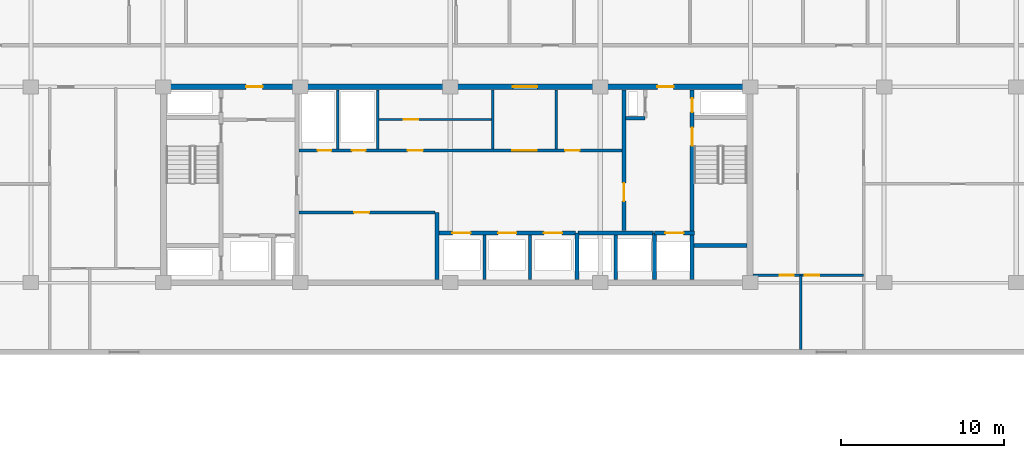
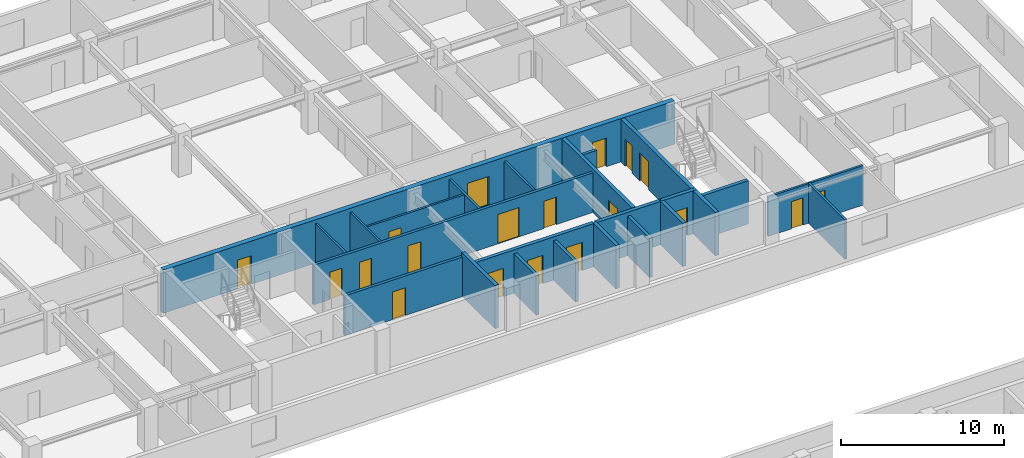
# One storey, part 11 of 21: 23 walls, 19 doors, 19 openings.
"""IFC4 building model written with IfcOpenShell, lengths in metres."""

from ifc_helpers import new_model, si_unit, direction, frame, frame_2d, origin, place, context, subcontext, project, spatial, rectangle, extrude, material, layer, layer_set, type_object, element, fill, save


model = new_model("IFC4")

# Units and contexts
model_context = context("Model", 3, precision=1e-05, world=origin(), true_north=direction((0.0, 1.0)))
body_context = subcontext(model_context, "Body", "Model", "MODEL_VIEW")
ifc_project = project(units=[si_unit("LENGTHUNIT", "METRE"), si_unit("AREAUNIT", "SQUARE_METRE"), si_unit("VOLUMEUNIT", "CUBIC_METRE"), si_unit("PLANEANGLEUNIT", "RADIAN"), si_unit("MASSUNIT", "GRAM", prefix="KILO")], contexts=[model_context])

# Site, building, storey
site_placement = place(None, origin())
site = spatial("IfcSite", under=ifc_project, at=site_placement, CompositionType="ELEMENT")
building_placement = place(site_placement, origin())
building = spatial("IfcBuilding", under=site, at=building_placement, Name="Korimba Cascade Residences", CompositionType="ELEMENT")
storey_placement = place(building_placement, frame((0.0, 0.0, 123.050048828125)))
storey = spatial("IfcBuildingStorey", under=building, at=storey_placement, Name="L35", CompositionType="ELEMENT", Elevation=123.050048828125)

# Wall, openings, doors
ifc_material_1 = material(Name="Concrete C65/80", Category="concrete")
ifc_layer_1 = layer(ifc_material_1, 0.35009765625)
ifc_layer_set_1 = layer_set([ifc_layer_1], Name="Concrete C65/80")
wall_type_1 = type_object("IfcWallType", Name="WAL-CORE-350", PredefinedType="SHEAR", material=ifc_layer_set_1)
wall_1_placement = place(storey_placement, frame((75.949951171875, 67.199951171875, 0.0), z_axis=(0.0, 0.0, 1.0), x_axis=(1.0, 0.0, 0.0)))
wall_1 = element("IfcWall", 1, at=wall_1_placement, inside=storey, type_object=wall_type_1, Name="L35 Core Shear Wall CW-L35-T1-N", PredefinedType="SHEAR", context=body_context, shape_type="SweptSolid", body=[
    extrude(rectangle(XDim=36.300048828125, YDim=0.35009765625, at=frame_2d((18.14990234375, 0.0))), origin(), (0.0, 0.0, 1.0), 3.25),
])
opening_1_placement = place(wall_1_placement, frame((5.25, 0.0, 0.0)))
opening_1 = element("IfcOpeningElement", 2, at=opening_1_placement, cuts=wall_1, Name="Opening D-FD5", PredefinedType="OPENING", context=body_context, shape_type="SweptSolid", body=[
    extrude(rectangle(XDim=1.0, YDim=2.14990234375, at=frame_2d((0.5, 1.074951171875))), frame((0.0, 0.18505859375, 0.0), z_axis=(0.0, -1.0, 0.0), x_axis=(1.0, 0.0, 0.0)), (0.0, 0.0, 1.0), 0.3701171875),
])
opening_2_placement = place(wall_1_placement, frame((21.60009765625, 0.0, 0.0)))
opening_2 = element("IfcOpeningElement", 3, at=opening_2_placement, cuts=wall_1, Name="Opening D-FD8", PredefinedType="OPENING", context=body_context, shape_type="SweptSolid", body=[
    extrude(rectangle(XDim=1.5, YDim=2.199951171875, at=frame_2d((0.75, 1.10009765625))), frame((0.0, 0.18505859375, 0.0), z_axis=(0.0, -1.0, 0.0), x_axis=(1.0, 0.0, 0.0)), (0.0, 0.0, 1.0), 0.3701171875),
])
opening_3_placement = place(wall_1_placement, frame((30.449951171875, 0.0, 0.0)))
opening_3 = element("IfcOpeningElement", 4, at=opening_3_placement, cuts=wall_1, Name="Opening D-FD5", PredefinedType="OPENING", context=body_context, shape_type="SweptSolid", body=[
    extrude(rectangle(XDim=1.0, YDim=2.14990234375, at=frame_2d((0.5, 1.074951171875))), frame((0.0, 0.18505859375, 0.0), z_axis=(0.0, -1.0, 0.0), x_axis=(1.0, 0.0, 0.0)), (0.0, 0.0, 1.0), 0.3701171875),
])
ifc_material_2 = material(Name="Fire-Rated Acoustic Timber Vestibule Door", Category="wood")
door_type_1 = type_object("IfcDoorType", Name="DR-FD90-1000", OperationType="NOTDEFINED", PredefinedType="DOOR", material=ifc_material_2)
door_1_placement = place(opening_1_placement, origin())
door_1 = element("IfcDoor", 5, at=door_1_placement, inside=storey, type_object=door_type_1, Name="L35 T1 West Core Vestibule Fire Door", OperationType="SINGLE_SWING_LEFT", OverallHeight=2.14990234375, OverallWidth=1.0, PredefinedType="DOOR", context=body_context, shape_type="SweptSolid", body=[
    extrude(rectangle(XDim=1.0, YDim=2.14990234375, at=frame_2d((0.5, 1.074951171875))), frame((0.0, 0.02490234375, 0.0), z_axis=(0.0, -1.0, 0.0), x_axis=(1.0, 0.0, 0.0)), (0.0, 0.0, 1.0), 0.050048828125),
])
fill(opening_1, door_1)
door_2_placement = place(opening_3_placement, origin())
door_2 = element("IfcDoor", 6, at=door_2_placement, inside=storey, type_object=door_type_1, Name="L35 T1 East Firefighting Vestibule Fire Door", OperationType="SINGLE_SWING_RIGHT", OverallHeight=2.14990234375, OverallWidth=1.0, PredefinedType="DOOR", context=body_context, shape_type="SweptSolid", body=[
    extrude(rectangle(XDim=1.0, YDim=2.14990234375, at=frame_2d((0.5, 1.074951171875))), frame((0.0, 0.02490234375, 0.0), z_axis=(0.0, -1.0, 0.0), x_axis=(1.0, 0.0, 0.0)), (0.0, 0.0, 1.0), 0.050048828125),
])
fill(opening_3, door_2)
ifc_material_3 = material(Name="Fire-Rated Glazed Lift Lobby Double Door", Category="glass")
door_type_2 = type_object("IfcDoorType", Name="DR-FD90-1500", OperationType="NOTDEFINED", PredefinedType="DOOR", material=ifc_material_3)
door_3_placement = place(opening_2_placement, origin())
door_3 = element("IfcDoor", 7, at=door_3_placement, inside=storey, type_object=door_type_2, Name="L35 T1 Lift Lobby Fire Door", OperationType="DOUBLE_DOOR_SINGLE_SWING", OverallHeight=2.199951171875, OverallWidth=1.5, PredefinedType="DOOR", context=body_context, shape_type="SweptSolid", body=[
    extrude(rectangle(XDim=1.5, YDim=2.199951171875, at=frame_2d((0.75, 1.10009765625))), frame((0.0, 0.02490234375, 0.0), z_axis=(0.0, -1.0, 0.0), x_axis=(1.0, 0.0, 0.0)), (0.0, 0.0, 1.0), 0.050048828125),
])
fill(opening_2, door_3)

# Walls
ifc_material_4 = material(Name="Insulated Acoustic Stud Partition", Category="gypsum")
ifc_layer_2 = layer(ifc_material_4, 0.14990234375)
ifc_layer_set_2 = layer_set([ifc_layer_2], Name="Insulated Acoustic Stud Partition")
wall_type_2 = type_object("IfcWallType", Name="WAL-PART-150", PredefinedType="PARTITIONING", material=ifc_layer_set_2)
for number, where, z_axis, x_axis, name in (
    (8, (86.800048828125, 63.39990234375, 0.0), (0.0, 0.0, 1.0), (0.0, 1.0, 0.0), "L35 Partition Wall CW-L35-T1-ERDIV"),
    (9, (89.25, 63.39990234375, 0.0), (0.0, 0.0, 1.0), (0.0, 1.0, 0.0), "L35 Partition Wall CW-L35-T1-PRDIV"),
):
    element("IfcWall", number, at=place(storey_placement, frame(where, z_axis=z_axis, x_axis=x_axis)), inside=storey, type_object=wall_type_2, Name=name, PredefinedType="PARTITIONING", context=body_context, shape_type="SweptSolid", body=[
        extrude(rectangle(XDim=3.60009765625, YDim=0.14990234375, at=frame_2d((1.800048828125, 0.0))), origin(), (0.0, 0.0, 1.0), 2.969970703125),
    ])

# Wall, opening, door
wall_2_placement = place(storey_placement, frame((89.25, 65.199951171875, 0.0), z_axis=(0.0, 0.0, 1.0), x_axis=(1.0, 0.0, 0.0)))
wall_2 = element("IfcWall", 10, at=wall_2_placement, inside=storey, type_object=wall_type_2, Name="L35 Partition Wall CW-L35-T1-CA2HZ", PredefinedType="PARTITIONING", context=body_context, shape_type="SweptSolid", body=[
    extrude(rectangle(XDim=7.050048828125, YDim=0.14990234375, at=frame_2d((3.52490234375, 0.0))), origin(), (0.0, 0.0, 1.0), 2.969970703125),
])
opening_4_placement = place(wall_2_placement, frame((1.60009765625, 0.0, 0.0)))
opening_4 = element("IfcOpeningElement", 11, at=opening_4_placement, cuts=wall_2, Name="Opening D-IN2", PredefinedType="OPENING", context=body_context, shape_type="SweptSolid", body=[
    extrude(rectangle(XDim=0.8798828125, YDim=2.06005859375, at=frame_2d((0.43994140625, 1.030029296875))), frame((0.0, 0.0849609375, 0.0), z_axis=(0.0, -1.0, 0.0), x_axis=(1.0, 0.0, 0.0)), (0.0, 0.0, 1.0), 0.169921875),
])
ifc_material_5 = material(Name="Acoustic Timber Bedroom Door", Category="wood")
door_type_3 = type_object("IfcDoorType", Name="DR-INT-880", OperationType="NOTDEFINED", PredefinedType="DOOR", material=ifc_material_5)
door_4_placement = place(opening_4_placement, origin())
door_4 = element("IfcDoor", 12, at=door_4_placement, inside=storey, type_object=door_type_3, Name="L35 Pram Store Door", OperationType="SINGLE_SWING_RIGHT", OverallHeight=2.06005859375, OverallWidth=0.8798828125, PredefinedType="DOOR", context=body_context, shape_type="SweptSolid", body=[
    extrude(rectangle(XDim=0.8798828125, YDim=2.06005859375, at=frame_2d((0.43994140625, 1.030029296875))), frame((0.0, 0.02490234375, 0.0), z_axis=(0.0, -1.0, 0.0), x_axis=(1.0, 0.0, 0.0)), (0.0, 0.0, 1.0), 0.050048828125),
])
fill(opening_4, door_4)

# Walls
for number, where, z_axis, x_axis, name in (
    (13, (96.300048828125, 63.39990234375, 0.0), (0.0, 0.0, 1.0), (0.0, 1.0, 0.0), "L35 Partition Wall CW-L35-T1-THW"),
    (14, (100.199951171875, 63.39990234375, 0.0), (0.0, 0.0, 1.0), (0.0, 1.0, 0.0), "L35 Partition Wall CW-L35-T1-THE"),
):
    element("IfcWall", number, at=place(storey_placement, frame(where, z_axis=z_axis, x_axis=x_axis)), inside=storey, type_object=wall_type_2, Name=name, PredefinedType="PARTITIONING", context=body_context, shape_type="SweptSolid", body=[
        extrude(rectangle(XDim=3.60009765625, YDim=0.14990234375, at=frame_2d((1.800048828125, 0.0))), origin(), (0.0, 0.0, 1.0), 2.969970703125),
    ])
wall_3_placement = place(storey_placement, frame((115.199951171875, 51.10009765625, 0.0), z_axis=(0.0, 0.0, 1.0), x_axis=(0.0, 1.0, 0.0)))
element("IfcWall", 15, at=wall_3_placement, inside=storey, type_object=wall_type_2, Name="L35 Partition Wall WAL-L35-T1-FE-VS", PredefinedType="PARTITIONING", context=body_context, shape_type="SweptSolid", body=[
    extrude(rectangle(XDim=4.5498046875, YDim=0.14990234375, at=frame_2d((2.27490234375, 0.0))), origin(), (0.0, 0.0, 1.0), 2.969970703125),
])

# Wall, openings, doors
wall_4_placement = place(storey_placement, frame((112.27001953125, 55.64990234375, 0.0), z_axis=(0.0, 0.0, 1.0), x_axis=(1.0, 0.0, 0.0)))
wall_4 = element("IfcWall", 16, at=wall_4_placement, inside=storey, type_object=wall_type_2, Name="L35 Partition Wall WAL-L35-T1-FE-H", PredefinedType="PARTITIONING", context=body_context, shape_type="SweptSolid", body=[
    extrude(rectangle(XDim=6.760009765625, YDim=0.14990234375, at=frame_2d((3.3798828125, 0.0))), origin(), (0.0, 0.0, 1.0), 2.969970703125),
])
opening_5_placement = place(wall_4_placement, frame((1.6396484375, 0.0, 0.0)))
opening_5 = element("IfcOpeningElement", 17, at=opening_5_placement, cuts=wall_4, Name="Opening D-BT1", PredefinedType="OPENING", context=body_context, shape_type="SweptSolid", body=[
    extrude(rectangle(XDim=0.840087890625, YDim=2.0400390625, at=frame_2d((0.419921875, 1.02001953125))), frame((0.0, 0.0849609375, 0.0), z_axis=(0.0, -1.0, 0.0), x_axis=(1.0, 0.0, 0.0)), (0.0, 0.0, 1.0), 0.169921875),
])
opening_6_placement = place(wall_4_placement, frame((3.160400390625, 0.0, 0.0)))
opening_6 = element("IfcOpeningElement", 18, at=opening_6_placement, cuts=wall_4, Name="Opening D-IN2", PredefinedType="OPENING", context=body_context, shape_type="SweptSolid", body=[
    extrude(rectangle(XDim=0.8798828125, YDim=2.06005859375, at=frame_2d((0.43994140625, 1.030029296875))), frame((0.0, 0.0849609375, 0.0), z_axis=(0.0, -1.0, 0.0), x_axis=(1.0, 0.0, 0.0)), (0.0, 0.0, 1.0), 0.169921875),
])
ifc_material_6 = material(Name="Moisture-Resistant Bathroom Timber Door", Category="wood")
door_type_4 = type_object("IfcDoorType", Name="DR-INT-850", OperationType="NOTDEFINED", PredefinedType="DOOR", material=ifc_material_6)
door_5_placement = place(opening_5_placement, origin())
door_5 = element("IfcDoor", 19, at=door_5_placement, inside=storey, type_object=door_type_4, Name="L35-T1-FE Bathroom Door", OperationType="SINGLE_SWING_RIGHT", OverallHeight=2.0400390625, OverallWidth=0.840087890625, PredefinedType="DOOR", context=body_context, shape_type="SweptSolid", body=[
    extrude(rectangle(XDim=0.840087890625, YDim=2.0400390625, at=frame_2d((0.419921875, 1.02001953125))), frame((0.0, 0.02490234375, 0.0), z_axis=(0.0, -1.0, 0.0), x_axis=(1.0, 0.0, 0.0)), (0.0, 0.0, 1.0), 0.050048828125),
])
fill(opening_5, door_5)
door_6_placement = place(opening_6_placement, origin())
door_6 = element("IfcDoor", 20, at=door_6_placement, inside=storey, type_object=door_type_3, Name="L35-T1-FE Bedroom Door", OperationType="SINGLE_SWING_LEFT", OverallHeight=2.06005859375, OverallWidth=0.8798828125, PredefinedType="DOOR", context=body_context, shape_type="SweptSolid", body=[
    extrude(rectangle(XDim=0.8798828125, YDim=2.06005859375, at=frame_2d((0.43994140625, 1.030029296875))), frame((0.0, 0.02490234375, 0.0), z_axis=(0.0, -1.0, 0.0), x_axis=(1.0, 0.0, 0.0)), (0.0, 0.0, 1.0), 0.050048828125),
])
fill(opening_6, door_6)

# Wall, opening, door
ifc_material_7 = material(Name="Concrete C40/50", Category="concrete")
ifc_layer_3 = layer(ifc_material_7, 0.199951171875)
ifc_layer_set_3 = layer_set([ifc_layer_3], Name="Concrete C40/50")
wall_type_3 = type_object("IfcWallType", Name="WAL-PART-200", PredefinedType="PARTITIONING", material=ifc_layer_set_3)
wall_5_placement = place(storey_placement, frame((84.419921875, 59.5, 0.0), z_axis=(0.0, 0.0, 1.0), x_axis=(1.0, 0.0, 0.0)))
wall_5 = element("IfcWall", 21, at=wall_5_placement, inside=storey, type_object=wall_type_3, Name="L35 Partition Wall CW-L35-T1-B1RN", PredefinedType="PARTITIONING", context=body_context, shape_type="SweptSolid", body=[
    extrude(rectangle(XDim=8.360107421875, YDim=0.199951171875, at=frame_2d((4.18017578125, 0.0))), origin(), (0.0, 0.0, 1.0), 2.969970703125),
])
opening_7_placement = place(wall_5_placement, frame((3.39990234375, 0.0, 0.0)))
opening_7 = element("IfcOpeningElement", 22, at=opening_7_placement, cuts=wall_5, Name="Opening D-ST1", PredefinedType="OPENING", context=body_context, shape_type="SweptSolid", body=[
    extrude(rectangle(XDim=0.919921875, YDim=2.080078125, at=frame_2d((0.4599609375, 1.0400390625))), frame((0.0, 0.10986328125, 0.0), z_axis=(0.0, -1.0, 0.0), x_axis=(1.0, 0.0, 0.0)), (0.0, 0.0, 1.0), 0.219970703125),
])
ifc_material_8 = material(Name="Fire-Rated Core Store Door", Category="wood")
door_type_5 = type_object("IfcDoorType", Name="DR-FD60-920", OperationType="NOTDEFINED", PredefinedType="DOOR", material=ifc_material_8)
door_7_placement = place(opening_7_placement, origin())
door_7 = element("IfcDoor", 23, at=door_7_placement, inside=storey, type_object=door_type_5, Name="L35 Resident Storage Door", OperationType="SINGLE_SWING_LEFT", OverallHeight=2.080078125, OverallWidth=0.919921875, PredefinedType="DOOR", context=body_context, shape_type="SweptSolid", body=[
    extrude(rectangle(XDim=0.919921875, YDim=2.080078125, at=frame_2d((0.4599609375, 1.0400390625))), frame((0.0, 0.02490234375, 0.0), z_axis=(0.0, -1.0, 0.0), x_axis=(1.0, 0.0, 0.0)), (0.0, 0.0, 1.0), 0.050048828125),
])
fill(opening_7, door_7)

# Walls
for number, where, z_axis, x_axis, name in (
    (24, (95.800048828125, 55.39990234375, 0.0), (0.0, 0.0, 1.0), (0.0, 1.0, 0.0), "L35 Partition Wall CW-L35-T1-B2D1"),
    (25, (98.60009765625, 55.39990234375, 0.0), (0.0, 0.0, 1.0), (0.0, 1.0, 0.0), "L35 Partition Wall CW-L35-T1-B2D2"),
    (26, (103.85009765625, 55.39990234375, 0.0), (0.0, 0.0, 1.0), (0.0, 1.0, 0.0), "L35 Partition Wall CW-L35-T1-B3D1"),
):
    element("IfcWall", number, at=place(storey_placement, frame(where, z_axis=z_axis, x_axis=x_axis)), inside=storey, type_object=wall_type_3, Name=name, PredefinedType="PARTITIONING", context=body_context, shape_type="SweptSolid", body=[
        extrude(rectangle(XDim=2.72021484375, YDim=0.199951171875, at=frame_2d((1.360107421875, 0.0))), origin(), (0.0, 0.0, 1.0), 2.969970703125),
    ])

# Wall, openings, doors
wall_6_placement = place(storey_placement, frame((84.419921875, 63.300048828125, 0.0), z_axis=(0.0, 0.0, 1.0), x_axis=(1.0, 0.0, 0.0)))
wall_6 = element("IfcWall", 27, at=wall_6_placement, inside=storey, type_object=wall_type_3, Name="L35 Partition Wall CW-L35-T1-SRVROW", PredefinedType="PARTITIONING", context=body_context, shape_type="SweptSolid", body=[
    extrude(rectangle(XDim=19.830078125, YDim=0.199951171875, at=frame_2d((9.9150390625, 0.0))), origin(), (0.0, 0.0, 1.0), 2.969970703125),
])
opening_8_placement = place(wall_6_placement, frame((1.14990234375, 0.0, 0.0)))
opening_8 = element("IfcOpeningElement", 28, at=opening_8_placement, cuts=wall_6, Name="Opening D-RS1", PredefinedType="OPENING", context=body_context, shape_type="SweptSolid", body=[
    extrude(rectangle(XDim=0.85009765625, YDim=2.050048828125, at=frame_2d((0.425048828125, 1.02490234375))), frame((0.0, 0.10986328125, 0.0), z_axis=(0.0, -1.0, 0.0), x_axis=(1.0, 0.0, 0.0)), (0.0, 0.0, 1.0), 0.219970703125),
])
opening_9_placement = place(wall_6_placement, frame((3.25, 0.0, 0.0)))
opening_9 = element("IfcOpeningElement", 29, at=opening_9_placement, cuts=wall_6, Name="Opening D-RS1", PredefinedType="OPENING", context=body_context, shape_type="SweptSolid", body=[
    extrude(rectangle(XDim=0.85009765625, YDim=2.050048828125, at=frame_2d((0.425048828125, 1.02490234375))), frame((0.0, 0.10986328125, 0.0), z_axis=(0.0, -1.0, 0.0), x_axis=(1.0, 0.0, 0.0)), (0.0, 0.0, 1.0), 0.219970703125),
])
opening_10_placement = place(wall_6_placement, frame((13.080078125, 0.0, 0.0)))
opening_10 = element("IfcOpeningElement", 30, at=opening_10_placement, cuts=wall_6, Name="Opening D-FD8", PredefinedType="OPENING", context=body_context, shape_type="SweptSolid", body=[
    extrude(rectangle(XDim=1.5, YDim=2.199951171875, at=frame_2d((0.75, 1.10009765625))), frame((0.0, 0.10986328125, 0.0), z_axis=(0.0, -1.0, 0.0), x_axis=(1.0, 0.0, 0.0)), (0.0, 0.0, 1.0), 0.219970703125),
])
opening_11_placement = place(wall_6_placement, frame((6.679931640625, 0.0, 0.0)))
opening_11 = element("IfcOpeningElement", 31, at=opening_11_placement, cuts=wall_6, Name="Opening D-IN1", PredefinedType="OPENING", context=body_context, shape_type="SweptSolid", body=[
    extrude(rectangle(XDim=0.919921875, YDim=2.080078125, at=frame_2d((0.4599609375, 1.0400390625))), frame((0.0, 0.10986328125, 0.0), z_axis=(0.0, -1.0, 0.0), x_axis=(1.0, 0.0, 0.0)), (0.0, 0.0, 1.0), 0.219970703125),
])
opening_12_placement = place(wall_6_placement, frame((16.330078125, 0.0, 0.0)))
opening_12 = element("IfcOpeningElement", 32, at=opening_12_placement, cuts=wall_6, Name="Opening D-IN2", PredefinedType="OPENING", context=body_context, shape_type="SweptSolid", body=[
    extrude(rectangle(XDim=0.8798828125, YDim=2.06005859375, at=frame_2d((0.43994140625, 1.030029296875))), frame((0.0, 0.10986328125, 0.0), z_axis=(0.0, -1.0, 0.0), x_axis=(1.0, 0.0, 0.0)), (0.0, 0.0, 1.0), 0.219970703125),
])
ifc_material_9 = material(Name="Fire-Rated Steel Riser Access Door", Category="steel")
door_type_6 = type_object("IfcDoorType", Name="DR-FD60-850", OperationType="NOTDEFINED", PredefinedType="DOOR", material=ifc_material_9)
door_8_placement = place(opening_8_placement, origin())
door_8 = element("IfcDoor", 33, at=door_8_placement, inside=storey, type_object=door_type_6, Name="L35 Electrical Riser Door", OperationType="SINGLE_SWING_LEFT", OverallHeight=2.050048828125, OverallWidth=0.85009765625, PredefinedType="DOOR", context=body_context, shape_type="SweptSolid", body=[
    extrude(rectangle(XDim=0.85009765625, YDim=2.050048828125, at=frame_2d((0.425048828125, 1.02490234375))), frame((0.0, 0.02490234375, 0.0), z_axis=(0.0, -1.0, 0.0), x_axis=(1.0, 0.0, 0.0)), (0.0, 0.0, 1.0), 0.050048828125),
])
fill(opening_8, door_8)
door_9_placement = place(opening_9_placement, origin())
door_9 = element("IfcDoor", 34, at=door_9_placement, inside=storey, type_object=door_type_6, Name="L35 Plumbing Riser Door", OperationType="SINGLE_SWING_RIGHT", OverallHeight=2.050048828125, OverallWidth=0.85009765625, PredefinedType="DOOR", context=body_context, shape_type="SweptSolid", body=[
    extrude(rectangle(XDim=0.85009765625, YDim=2.050048828125, at=frame_2d((0.425048828125, 1.02490234375))), frame((0.0, 0.02490234375, 0.0), z_axis=(0.0, -1.0, 0.0), x_axis=(1.0, 0.0, 0.0)), (0.0, 0.0, 1.0), 0.050048828125),
])
fill(opening_9, door_9)
door_10_placement = place(opening_10_placement, origin())
door_10 = element("IfcDoor", 35, at=door_10_placement, inside=storey, type_object=door_type_2, Name="L35 Lift Lobby Foyer Archway Door", OperationType="DOUBLE_DOOR_SINGLE_SWING", OverallHeight=2.199951171875, OverallWidth=1.5, PredefinedType="DOOR", context=body_context, shape_type="SweptSolid", body=[
    extrude(rectangle(XDim=1.5, YDim=2.199951171875, at=frame_2d((0.75, 1.10009765625))), frame((0.0, 0.02490234375, 0.0), z_axis=(0.0, -1.0, 0.0), x_axis=(1.0, 0.0, 0.0)), (0.0, 0.0, 1.0), 0.050048828125),
])
fill(opening_10, door_10)
door_11_placement = place(opening_12_placement, origin())
door_11 = element("IfcDoor", 36, at=door_11_placement, inside=storey, type_object=door_type_3, Name="L35 Staff WC Door", OperationType="SINGLE_SWING_RIGHT", OverallHeight=2.06005859375, OverallWidth=0.8798828125, PredefinedType="DOOR", context=body_context, shape_type="SweptSolid", body=[
    extrude(rectangle(XDim=0.8798828125, YDim=2.06005859375, at=frame_2d((0.43994140625, 1.030029296875))), frame((0.0, 0.02490234375, 0.0), z_axis=(0.0, -1.0, 0.0), x_axis=(1.0, 0.0, 0.0)), (0.0, 0.0, 1.0), 0.050048828125),
])
fill(opening_12, door_11)
ifc_material_10 = material(Name="Acoustic Timber Living Door", Category="wood")
door_type_7 = type_object("IfcDoorType", Name="DR-INT-920", OperationType="NOTDEFINED", PredefinedType="DOOR", material=ifc_material_10)
door_12_placement = place(opening_11_placement, origin())
door_12 = element("IfcDoor", 37, at=door_12_placement, inside=storey, type_object=door_type_7, Name="L35 Locker Room Door", OperationType="SINGLE_SWING_LEFT", OverallHeight=2.080078125, OverallWidth=0.919921875, PredefinedType="DOOR", context=body_context, shape_type="SweptSolid", body=[
    extrude(rectangle(XDim=0.919921875, YDim=2.080078125, at=frame_2d((0.4599609375, 1.0400390625))), frame((0.0, 0.02490234375, 0.0), z_axis=(0.0, -1.0, 0.0), x_axis=(1.0, 0.0, 0.0)), (0.0, 0.0, 1.0), 0.050048828125),
])
fill(opening_11, door_12)

# Walls
wall_7_placement = place(storey_placement, frame((104.449951171875, 65.280029296875, 0.0), z_axis=(0.0, 0.0, 1.0), x_axis=(1.0, 0.0, 0.0)))
element("IfcWall", 38, at=wall_7_placement, inside=storey, type_object=wall_type_3, Name="L35 Partition Wall CW-L35-T1-HYDW2S", PredefinedType="PARTITIONING", context=body_context, shape_type="SweptSolid", body=[
    extrude(rectangle(XDim=1.199951171875, YDim=0.199951171875, at=frame_2d((0.60009765625, 0.0))), origin(), (0.0, 0.0, 1.0), 2.969970703125),
])
ifc_material_11 = material(Name="Concrete C50/60", Category="concrete")
ifc_layer_4 = layer(ifc_material_11, 0.25)
ifc_layer_set_4 = layer_set([ifc_layer_4], Name="Concrete C50/60")
wall_type_4 = type_object("IfcWallType", Name="WAL-SHAFT-250", PredefinedType="SHEAR", material=ifc_layer_set_4)
wall_8_placement = place(storey_placement, frame((92.89990234375, 55.39990234375, 0.0), z_axis=(0.0, 0.0, 1.0), x_axis=(0.0, 1.0, 0.0)))
element("IfcWall", 39, at=wall_8_placement, inside=storey, type_object=wall_type_4, Name="L35 Core Shear Wall CW-L35-T1-B12DIV", PredefinedType="SHEAR", context=body_context, shape_type="SweptSolid", body=[
    extrude(rectangle(XDim=4.10009765625, YDim=0.25, at=frame_2d((2.050048828125, 0.0))), origin(), (0.0, 0.0, 1.0), 3.25),
])

# Wall, openings, doors
wall_9_placement = place(storey_placement, frame((93.02001953125, 58.25, 0.0), z_axis=(0.0, 0.0, 1.0), x_axis=(1.0, 0.0, 0.0)))
wall_9 = element("IfcWall", 40, at=wall_9_placement, inside=storey, type_object=wall_type_4, Name="L35 Core Shear Wall CW-L35-T1-B2N", PredefinedType="SHEAR", context=body_context, shape_type="SweptSolid", body=[
    extrude(rectangle(XDim=8.35986328125, YDim=0.25, at=frame_2d((4.179931640625, 0.0))), origin(), (0.0, 0.0, 1.0), 3.25),
])
opening_13_placement = place(wall_9_placement, frame((0.820068359375, 0.0, 0.0)))
opening_13 = element("IfcOpeningElement", 41, at=opening_13_placement, cuts=wall_9, Name="Opening LD-01", PredefinedType="OPENING", context=body_context, shape_type="SweptSolid", body=[
    extrude(rectangle(XDim=1.1201171875, YDim=2.1201171875, at=frame_2d((0.56005859375, 1.06005859375))), frame((0.0, 0.135009765625, 0.0), z_axis=(0.0, -1.0, 0.0), x_axis=(1.0, 0.0, 0.0)), (0.0, 0.0, 1.0), 0.27001953125),
])
opening_14_placement = place(wall_9_placement, frame((3.6201171875, 0.0, 0.0)))
opening_14 = element("IfcOpeningElement", 42, at=opening_14_placement, cuts=wall_9, Name="Opening LD-01", PredefinedType="OPENING", context=body_context, shape_type="SweptSolid", body=[
    extrude(rectangle(XDim=1.1201171875, YDim=2.1201171875, at=frame_2d((0.56005859375, 1.06005859375))), frame((0.0, 0.135009765625, 0.0), z_axis=(0.0, -1.0, 0.0), x_axis=(1.0, 0.0, 0.0)), (0.0, 0.0, 1.0), 0.27001953125),
])
opening_15_placement = place(wall_9_placement, frame((6.419921875, 0.0, 0.0)))
opening_15 = element("IfcOpeningElement", 43, at=opening_15_placement, cuts=wall_9, Name="Opening LD-01", PredefinedType="OPENING", context=body_context, shape_type="SweptSolid", body=[
    extrude(rectangle(XDim=1.1201171875, YDim=2.1201171875, at=frame_2d((0.56005859375, 1.06005859375))), frame((0.0, 0.135009765625, 0.0), z_axis=(0.0, -1.0, 0.0), x_axis=(1.0, 0.0, 0.0)), (0.0, 0.0, 1.0), 0.27001953125),
])
ifc_material_12 = material(Name="Stainless Steel Lift Landing Sliding Door", Category="steel")
door_type_8 = type_object("IfcDoorType", Name="DR-LIFT-1100", OperationType="NOTDEFINED", PredefinedType="DOOR", material=ifc_material_12)
door_13_placement = place(opening_13_placement, origin())
door_13 = element("IfcDoor", 44, at=door_13_placement, inside=storey, type_object=door_type_8, Name="L35 Lift Landing Door PL-W4", OperationType="SLIDING_TO_RIGHT", OverallHeight=2.1201171875, OverallWidth=1.1201171875, PredefinedType="DOOR", context=body_context, shape_type="SweptSolid", body=[
    extrude(rectangle(XDim=1.1201171875, YDim=2.1201171875, at=frame_2d((0.56005859375, 1.06005859375))), frame((0.0, 0.02490234375, 0.0), z_axis=(0.0, -1.0, 0.0), x_axis=(1.0, 0.0, 0.0)), (0.0, 0.0, 1.0), 0.050048828125),
])
fill(opening_13, door_13)
door_14_placement = place(opening_14_placement, origin())
door_14 = element("IfcDoor", 45, at=door_14_placement, inside=storey, type_object=door_type_8, Name="L35 Lift Landing Door PL-W5", OperationType="SLIDING_TO_RIGHT", OverallHeight=2.1201171875, OverallWidth=1.1201171875, PredefinedType="DOOR", context=body_context, shape_type="SweptSolid", body=[
    extrude(rectangle(XDim=1.1201171875, YDim=2.1201171875, at=frame_2d((0.56005859375, 1.06005859375))), frame((0.0, 0.02490234375, 0.0), z_axis=(0.0, -1.0, 0.0), x_axis=(1.0, 0.0, 0.0)), (0.0, 0.0, 1.0), 0.050048828125),
])
fill(opening_14, door_14)
door_15_placement = place(opening_15_placement, origin())
door_15 = element("IfcDoor", 46, at=door_15_placement, inside=storey, type_object=door_type_8, Name="L35 Lift Landing Door PL-W6", OperationType="SLIDING_TO_RIGHT", OverallHeight=2.1201171875, OverallWidth=1.1201171875, PredefinedType="DOOR", context=body_context, shape_type="SweptSolid", body=[
    extrude(rectangle(XDim=1.1201171875, YDim=2.1201171875, at=frame_2d((0.56005859375, 1.06005859375))), frame((0.0, 0.02490234375, 0.0), z_axis=(0.0, -1.0, 0.0), x_axis=(1.0, 0.0, 0.0)), (0.0, 0.0, 1.0), 0.050048828125),
])
fill(opening_15, door_15)

# Walls
wall_10_placement = place(storey_placement, frame((101.47998046875, 55.39990234375, 0.0), z_axis=(0.0, 0.0, 1.0), x_axis=(0.0, 1.0, 0.0)))
element("IfcWall", 47, at=wall_10_placement, inside=storey, type_object=wall_type_4, Name="L35 Core Shear Wall CW-L35-T1-B23DIV", PredefinedType="SHEAR", context=body_context, shape_type="SweptSolid", body=[
    extrude(rectangle(XDim=2.85009765625, YDim=0.25, at=frame_2d((1.425048828125, 0.0))), origin(), (0.0, 0.0, 1.0), 3.25),
])
wall_11_placement = place(storey_placement, frame((101.550048828125, 58.25, 0.0), z_axis=(0.0, 0.0, 1.0), x_axis=(1.0, 0.0, 0.0)))
element("IfcWall", 48, at=wall_11_placement, inside=storey, type_object=wall_type_4, Name="L35 Core Shear Wall CW-L35-T1-B3N", PredefinedType="SHEAR", context=body_context, shape_type="SweptSolid", body=[
    extrude(rectangle(XDim=4.599853515625, YDim=0.25, at=frame_2d((2.2998046875, 0.0))), origin(), (0.0, 0.0, 1.0), 3.25),
])
wall_12_placement = place(storey_placement, frame((106.219970703125, 55.39990234375, 0.0), z_axis=(0.0, 0.0, 1.0), x_axis=(0.0, 1.0, 0.0)))
element("IfcWall", 49, at=wall_12_placement, inside=storey, type_object=wall_type_4, Name="L35 Core Shear Wall CW-L35-T1-FF2W", PredefinedType="SHEAR", context=body_context, shape_type="SweptSolid", body=[
    extrude(rectangle(XDim=2.85009765625, YDim=0.25, at=frame_2d((1.425048828125, 0.0))), origin(), (0.0, 0.0, 1.0), 3.25),
])

# Wall, opening, door
wall_13_placement = place(storey_placement, frame((106.219970703125, 58.25, 0.0), z_axis=(0.0, 0.0, 1.0), x_axis=(1.0, 0.0, 0.0)))
wall_13 = element("IfcWall", 50, at=wall_13_placement, inside=storey, type_object=wall_type_4, Name="L35 Core Shear Wall CW-L35-T1-FF2N", PredefinedType="SHEAR", context=body_context, shape_type="SweptSolid", body=[
    extrude(rectangle(XDim=2.4599609375, YDim=0.25, at=frame_2d((1.22998046875, 0.0))), origin(), (0.0, 0.0, 1.0), 3.25),
])
opening_16_placement = place(wall_13_placement, frame((0.669921875, 0.0, 0.0)))
opening_16 = element("IfcOpeningElement", 51, at=opening_16_placement, cuts=wall_13, Name="Opening LD-01", PredefinedType="OPENING", context=body_context, shape_type="SweptSolid", body=[
    extrude(rectangle(XDim=1.1201171875, YDim=2.1201171875, at=frame_2d((0.56005859375, 1.06005859375))), frame((0.0, 0.135009765625, 0.0), z_axis=(0.0, -1.0, 0.0), x_axis=(1.0, 0.0, 0.0)), (0.0, 0.0, 1.0), 0.27001953125),
])
door_16_placement = place(opening_16_placement, origin())
door_16 = element("IfcDoor", 52, at=door_16_placement, inside=storey, type_object=door_type_8, Name="L35 Firefighting Lift Landing Door FFL-W2", OperationType="SLIDING_TO_RIGHT", OverallHeight=2.1201171875, OverallWidth=1.1201171875, PredefinedType="DOOR", context=body_context, shape_type="SweptSolid", body=[
    extrude(rectangle(XDim=1.1201171875, YDim=2.1201171875, at=frame_2d((0.56005859375, 1.06005859375))), frame((0.0, 0.02490234375, 0.0), z_axis=(0.0, -1.0, 0.0), x_axis=(1.0, 0.0, 0.0)), (0.0, 0.0, 1.0), 0.050048828125),
])
fill(opening_16, door_16)

wall_14_placement = place(storey_placement, frame((104.35009765625, 58.39990234375, 0.0), z_axis=(0.0, 0.0, 1.0), x_axis=(0.0, 1.0, 0.0)))
wall_14 = element("IfcWall", 53, at=wall_14_placement, inside=storey, type_object=wall_type_4, Name="L35 Core Shear Wall CW-L35-T1-LLEV", PredefinedType="SHEAR", context=body_context, shape_type="SweptSolid", body=[
    extrude(rectangle(XDim=8.60009765625, YDim=0.25, at=frame_2d((4.300048828125, 0.0))), origin(), (0.0, 0.0, 1.0), 3.25),
])
opening_17_placement = place(wall_14_placement, frame((1.800048828125, 0.0, 0.0)))
opening_17 = element("IfcOpeningElement", 54, at=opening_17_placement, cuts=wall_14, Name="Opening D-FD1", PredefinedType="OPENING", context=body_context, shape_type="SweptSolid", body=[
    extrude(rectangle(XDim=1.10009765625, YDim=2.10009765625, at=frame_2d((0.550048828125, 1.050048828125))), frame((0.0, 0.135009765625, 0.0), z_axis=(0.0, -1.0, 0.0), x_axis=(1.0, 0.0, 0.0)), (0.0, 0.0, 1.0), 0.27001953125),
])
ifc_material_13 = material(Name="Fire-Rated Steel Core Door", Category="steel")
door_type_9 = type_object("IfcDoorType", Name="DR-FD120-1100", OperationType="NOTDEFINED", PredefinedType="DOOR", material=ifc_material_13)
door_17_placement = place(opening_17_placement, origin())
door_17 = element("IfcDoor", 55, at=door_17_placement, inside=storey, type_object=door_type_9, Name="L35 Lift Lobby to East Firefighting Lobby Door", OperationType="SINGLE_SWING_RIGHT", OverallHeight=2.10009765625, OverallWidth=1.10009765625, PredefinedType="DOOR", context=body_context, shape_type="SweptSolid", body=[
    extrude(rectangle(XDim=1.10009765625, YDim=2.10009765625, at=frame_2d((0.550048828125, 1.050048828125))), frame((0.0, 0.02490234375, 0.0), z_axis=(0.0, -1.0, 0.0), x_axis=(1.0, 0.0, 0.0)), (0.0, 0.0, 1.0), 0.050048828125),
])
fill(opening_17, door_17)

# Wall, openings, doors
wall_15_placement = place(storey_placement, frame((108.534912109375, 55.39990234375, 0.0), z_axis=(0.0, 0.0, 1.0), x_axis=(0.0, 1.0, 0.0)))
wall_15 = element("IfcWall", 56, at=wall_15_placement, inside=storey, type_object=wall_type_4, Name="L35 Core Shear Wall CW-L35-T1-STW2W", PredefinedType="SHEAR", context=body_context, shape_type="SweptSolid", body=[
    extrude(rectangle(XDim=11.60009765625, YDim=0.25, at=frame_2d((5.800048828125, 0.0))), origin(), (0.0, 0.0, 1.0), 3.25),
])
opening_18_placement = place(wall_15_placement, frame((8.199951171875, 0.0, 0.0)))
opening_18 = element("IfcOpeningElement", 57, at=opening_18_placement, cuts=wall_15, Name="Opening D-FD1", PredefinedType="OPENING", context=body_context, shape_type="SweptSolid", body=[
    extrude(rectangle(XDim=1.10009765625, YDim=2.10009765625, at=frame_2d((0.550048828125, 1.050048828125))), frame((0.0, 0.135009765625, 0.0), z_axis=(0.0, -1.0, 0.0), x_axis=(1.0, 0.0, 0.0)), (0.0, 0.0, 1.0), 0.27001953125),
])
opening_19_placement = place(wall_15_placement, frame((10.25, 0.0, 0.0)))
opening_19 = element("IfcOpeningElement", 58, at=opening_19_placement, cuts=wall_15, Name="Opening D-RS1", PredefinedType="OPENING", context=body_context, shape_type="SweptSolid", body=[
    extrude(rectangle(XDim=0.85009765625, YDim=2.050048828125, at=frame_2d((0.425048828125, 1.02490234375))), frame((0.0, 0.135009765625, 0.0), z_axis=(0.0, -1.0, 0.0), x_axis=(1.0, 0.0, 0.0)), (0.0, 0.0, 1.0), 0.27001953125),
])
door_18_placement = place(opening_18_placement, origin())
door_18 = element("IfcDoor", 59, at=door_18_placement, inside=storey, type_object=door_type_9, Name="L35 Fire Stair ST-W2 Door", OperationType="SINGLE_SWING_LEFT", OverallHeight=2.10009765625, OverallWidth=1.10009765625, PredefinedType="DOOR", context=body_context, shape_type="SweptSolid", body=[
    extrude(rectangle(XDim=1.10009765625, YDim=2.10009765625, at=frame_2d((0.550048828125, 1.050048828125))), frame((0.0, 0.02490234375, 0.0), z_axis=(0.0, -1.0, 0.0), x_axis=(1.0, 0.0, 0.0)), (0.0, 0.0, 1.0), 0.050048828125),
])
fill(opening_18, door_18)
door_19_placement = place(opening_19_placement, origin())
door_19 = element("IfcDoor", 60, at=door_19_placement, inside=storey, type_object=door_type_6, Name="L35 East Riser Door", OperationType="SINGLE_SWING_RIGHT", OverallHeight=2.050048828125, OverallWidth=0.85009765625, PredefinedType="DOOR", context=body_context, shape_type="SweptSolid", body=[
    extrude(rectangle(XDim=0.85009765625, YDim=2.050048828125, at=frame_2d((0.425048828125, 1.02490234375))), frame((0.0, 0.02490234375, 0.0), z_axis=(0.0, -1.0, 0.0), x_axis=(1.0, 0.0, 0.0)), (0.0, 0.0, 1.0), 0.050048828125),
])
fill(opening_19, door_19)

# Wall
wall_16_placement = place(storey_placement, frame((108.659912109375, 57.47509765625, 0.0), z_axis=(0.0, 0.0, 1.0), x_axis=(1.0, 0.0, 0.0)))
element("IfcWall", 61, at=wall_16_placement, inside=storey, type_object=wall_type_4, Name="L35 Core Shear Wall CW-L35-T1-STW2S", PredefinedType="SHEAR", context=body_context, shape_type="SweptSolid", body=[
    extrude(rectangle(XDim=3.239990234375, YDim=0.25, at=frame_2d((1.6201171875, 0.0))), origin(), (0.0, 0.0, 1.0), 3.25),
])

save(model, "model.ifc")
